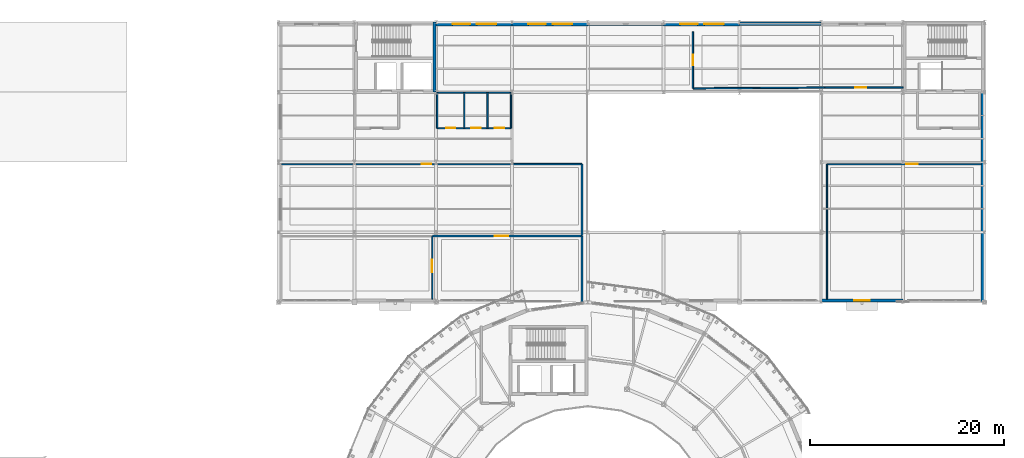
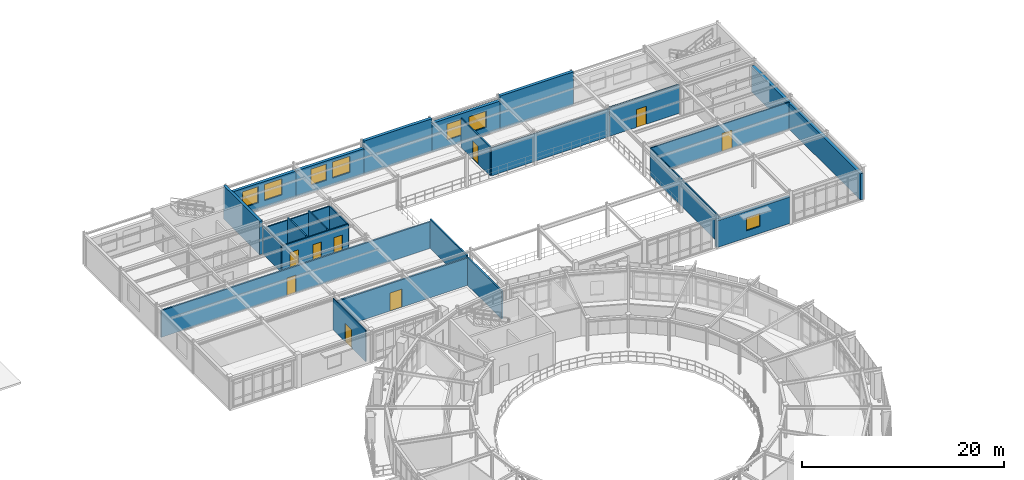
# One storey, part 58 of 70: 24 walls, 9 doors, 7 windows, 16 openings.
"""IFC4 building model written with IfcOpenShell, lengths in metres."""

from ifc_helpers import new_model, si_unit, derived_unit, direction, frame, frame_2d, origin, place, context, subcontext, project, spatial, rectangle, extrude, material, layer, layer_set, type_object, element, fill, save


model = new_model("IFC4")

# Units and contexts
model_context = context("Model", 3, precision=1e-05, world=origin(), true_north=direction((0.0, 1.0)))
body_context = subcontext(model_context, "Body", "Model", "MODEL_VIEW")
ifc_project = project(units=[si_unit("LENGTHUNIT", "METRE"), si_unit("AREAUNIT", "SQUARE_METRE"), si_unit("VOLUMEUNIT", "CUBIC_METRE"), si_unit("PLANEANGLEUNIT", "RADIAN"), si_unit("MASSUNIT", "GRAM", prefix="KILO"), derived_unit("THERMALTRANSMITTANCEUNIT", [(si_unit("POWERUNIT", "WATT"), 1), (si_unit("AREAUNIT", "SQUARE_METRE"), -1), (si_unit("THERMODYNAMICTEMPERATUREUNIT", "KELVIN"), -1)])], contexts=[model_context])

# Site, building, storey
site_placement = place(None, origin())
site = spatial("IfcSite", under=ifc_project, at=site_placement, CompositionType="ELEMENT")
building_placement = place(site_placement, origin())
building = spatial("IfcBuilding", under=site, at=building_placement, Name="Yasenodar Specialist Clinic", CompositionType="ELEMENT")
storey_placement = place(building_placement, frame((0.0, 0.0, 13.199951171875)))
storey = spatial("IfcBuildingStorey", under=building, at=storey_placement, Name="L03", CompositionType="ELEMENT", Elevation=13.199951171875)

# Wall, opening, window
ifc_material_1 = material(Name="Buff Architectural Terracotta Rainscreen", Category="masonry")
ifc_layer_1 = layer(ifc_material_1, 0.340087890625)
ifc_layer_set_1 = layer_set([ifc_layer_1], Name="Buff Architectural Terracotta Rainscreen")
wall_type_1 = type_object("IfcWallType", Name="EW-TERR-340", PredefinedType="SOLIDWALL", material=ifc_layer_set_1)
wall_1_placement = place(storey_placement, frame((113.39990234375, 82.969970703125, 0.0), z_axis=(0.0, 0.0, 1.0), x_axis=(-1.0, 0.0, 0.0)))
wall_1 = element("IfcWall", 1, at=wall_1_placement, inside=storey, type_object=wall_type_1, Name="L03 Exterior Facade Wall 0142", PredefinedType="SOLIDWALL", context=body_context, shape_type="SweptSolid", body=[
    extrude(rectangle(XDim=8.39990234375, YDim=0.340087890625, at=frame_2d((4.199951171875, 0.0))), origin(), (0.0, 0.0, 1.0), 3.218017578125),
])
opening_1_placement = place(wall_1_placement, frame((3.425048828125, 0.0, 0.85009765625)))
opening_1 = element("IfcOpeningElement", 2, at=opening_1_placement, cuts=wall_1, Name="Opening W-16", PredefinedType="OPENING", context=body_context, shape_type="SweptSolid", body=[
    extrude(rectangle(XDim=1.550048828125, YDim=1.60009765625, at=frame_2d((0.77490234375, 0.800048828125))), frame((0.0, 0.18017578125, 0.0), z_axis=(0.0, -1.0, 0.0), x_axis=(1.0, 0.0, 0.0)), (0.0, 0.0, 1.0), 0.360107421875),
])
ifc_material_2 = material(Name="Triple Low-E Argon Glazing in Bronze Aluminium Frame", Category="aluminium")
window_type_1 = type_object("IfcWindowType", Name="WIN-EXT-16", PartitioningType="SINGLE_PANEL", PredefinedType="WINDOW", material=ifc_material_2)
window_1_placement = place(opening_1_placement, origin())
window_1 = element("IfcWindow", 3, at=window_1_placement, inside=storey, type_object=window_type_1, Name="L03 Triple-Glazed Reveal Window 0158", OverallHeight=1.60009765625, OverallWidth=1.550048828125, PartitioningType="SINGLE_PANEL", PredefinedType="WINDOW", context=body_context, shape_type="SweptSolid", body=[
    extrude(rectangle(XDim=1.550048828125, YDim=1.60009765625, at=frame_2d((0.77490234375, 0.800048828125))), frame((0.0, 0.030029296875, 0.0), z_axis=(0.0, -1.0, 0.0), x_axis=(1.0, 0.0, 0.0)), (0.0, 0.0, 1.0), 0.06005859375),
])
fill(opening_1, window_1)

# Wall
wall_2_placement = place(storey_placement, frame((121.6298828125, 104.39990234375, 0.0), z_axis=(0.0, 0.0, 1.0), x_axis=(0.0, -1.0, 0.0)))
element("IfcWall", 4, at=wall_2_placement, inside=storey, type_object=wall_type_1, Name="L03 Exterior Facade Wall 0169", PredefinedType="SOLIDWALL", context=body_context, shape_type="SweptSolid", body=[
    extrude(rectangle(XDim=21.599853515625, YDim=0.340087890625, at=frame_2d((10.7998046875, 0.0))), origin(), (0.0, 0.0, 1.0), 3.16796875),
])

# Wall, openings, windows
wall_3_placement = place(storey_placement, frame((65.39990234375, 111.39990234375, 0.0), z_axis=(0.0, 0.0, 1.0), x_axis=(1.0, 0.0, 0.0)))
wall_3 = element("IfcWall", 5, at=wall_3_placement, inside=storey, type_object=wall_type_1, Name="L03 Exterior Facade Wall 0170", PredefinedType="SOLIDWALL", context=body_context, shape_type="SweptSolid", body=[
    extrude(rectangle(XDim=7.800048828125, YDim=0.340087890625, at=frame_2d((3.89990234375, 0.0))), origin(), (0.0, 0.0, 1.0), 3.177978515625),
])
opening_2_placement = place(wall_3_placement, frame((1.699951171875, 0.0, 0.85009765625)))
opening_2 = element("IfcOpeningElement", 6, at=opening_2_placement, cuts=wall_3, Name="Opening W-05", PredefinedType="OPENING", context=body_context, shape_type="SweptSolid", body=[
    extrude(rectangle(XDim=1.800048828125, YDim=1.949951171875, at=frame_2d((0.89990234375, 0.97509765625))), frame((0.0, 0.18017578125, 0.0), z_axis=(0.0, -1.0, 0.0), x_axis=(1.0, 0.0, 0.0)), (0.0, 0.0, 1.0), 0.360107421875),
])
opening_3_placement = place(wall_3_placement, frame((4.199951171875, 0.0, 0.85009765625)))
opening_3 = element("IfcOpeningElement", 7, at=opening_3_placement, cuts=wall_3, Name="Opening W-06", PredefinedType="OPENING", context=body_context, shape_type="SweptSolid", body=[
    extrude(rectangle(XDim=2.0, YDim=1.949951171875, at=frame_2d((1.0, 0.97509765625))), frame((0.0, 0.18017578125, 0.0), z_axis=(0.0, -1.0, 0.0), x_axis=(1.0, 0.0, 0.0)), (0.0, 0.0, 1.0), 0.360107421875),
])
window_type_2 = type_object("IfcWindowType", Name="WIN-EXT-05", PartitioningType="SINGLE_PANEL", PredefinedType="WINDOW", material=ifc_material_2)
window_2_placement = place(opening_2_placement, origin())
window_2 = element("IfcWindow", 8, at=window_2_placement, inside=storey, type_object=window_type_2, Name="L03 Triple-Glazed Reveal Window 0186", OverallHeight=1.949951171875, OverallWidth=1.800048828125, PartitioningType="SINGLE_PANEL", PredefinedType="WINDOW", context=body_context, shape_type="SweptSolid", body=[
    extrude(rectangle(XDim=1.800048828125, YDim=1.949951171875, at=frame_2d((0.89990234375, 0.97509765625))), frame((0.0, 0.030029296875, 0.0), z_axis=(0.0, -1.0, 0.0), x_axis=(1.0, 0.0, 0.0)), (0.0, 0.0, 1.0), 0.06005859375),
])
fill(opening_2, window_2)
window_type_3 = type_object("IfcWindowType", Name="WIN-EXT-06", PartitioningType="SINGLE_PANEL", PredefinedType="WINDOW", material=ifc_material_2)
window_3_placement = place(opening_3_placement, origin())
window_3 = element("IfcWindow", 9, at=window_3_placement, inside=storey, type_object=window_type_3, Name="L03 Triple-Glazed Reveal Window 0187", OverallHeight=1.949951171875, OverallWidth=2.0, PartitioningType="SINGLE_PANEL", PredefinedType="WINDOW", context=body_context, shape_type="SweptSolid", body=[
    extrude(rectangle(XDim=2.0, YDim=1.949951171875, at=frame_2d((1.0, 0.97509765625))), frame((0.0, 0.030029296875, 0.0), z_axis=(0.0, -1.0, 0.0), x_axis=(1.0, 0.0, 0.0)), (0.0, 0.0, 1.0), 0.06005859375),
])
fill(opening_3, window_3)

wall_4_placement = place(storey_placement, frame((73.199951171875, 111.39990234375, 0.0), z_axis=(0.0, 0.0, 1.0), x_axis=(1.0, 0.0, 0.0)))
wall_4 = element("IfcWall", 10, at=wall_4_placement, inside=storey, type_object=wall_type_1, Name="L03 Exterior Facade Wall 0171", PredefinedType="SOLIDWALL", context=body_context, shape_type="SweptSolid", body=[
    extrude(rectangle(XDim=7.800048828125, YDim=0.340087890625, at=frame_2d((3.89990234375, 0.0))), origin(), (0.0, 0.0, 1.0), 3.177978515625),
])
opening_4_placement = place(wall_4_placement, frame((1.699951171875, 0.0, 0.85009765625)))
opening_4 = element("IfcOpeningElement", 11, at=opening_4_placement, cuts=wall_4, Name="Opening W-05", PredefinedType="OPENING", context=body_context, shape_type="SweptSolid", body=[
    extrude(rectangle(XDim=1.800048828125, YDim=1.949951171875, at=frame_2d((0.89990234375, 0.97509765625))), frame((0.0, 0.18017578125, 0.0), z_axis=(0.0, -1.0, 0.0), x_axis=(1.0, 0.0, 0.0)), (0.0, 0.0, 1.0), 0.360107421875),
])
opening_5_placement = place(wall_4_placement, frame((4.199951171875, 0.0, 0.85009765625)))
opening_5 = element("IfcOpeningElement", 12, at=opening_5_placement, cuts=wall_4, Name="Opening W-06", PredefinedType="OPENING", context=body_context, shape_type="SweptSolid", body=[
    extrude(rectangle(XDim=2.0, YDim=1.949951171875, at=frame_2d((1.0, 0.97509765625))), frame((0.0, 0.18017578125, 0.0), z_axis=(0.0, -1.0, 0.0), x_axis=(1.0, 0.0, 0.0)), (0.0, 0.0, 1.0), 0.360107421875),
])
window_4_placement = place(opening_4_placement, origin())
window_4 = element("IfcWindow", 13, at=window_4_placement, inside=storey, type_object=window_type_2, Name="L03 Triple-Glazed Reveal Window 0188", OverallHeight=1.949951171875, OverallWidth=1.800048828125, PartitioningType="SINGLE_PANEL", PredefinedType="WINDOW", context=body_context, shape_type="SweptSolid", body=[
    extrude(rectangle(XDim=1.800048828125, YDim=1.949951171875, at=frame_2d((0.89990234375, 0.97509765625))), frame((0.0, 0.030029296875, 0.0), z_axis=(0.0, -1.0, 0.0), x_axis=(1.0, 0.0, 0.0)), (0.0, 0.0, 1.0), 0.06005859375),
])
fill(opening_4, window_4)
window_5_placement = place(opening_5_placement, origin())
window_5 = element("IfcWindow", 14, at=window_5_placement, inside=storey, type_object=window_type_3, Name="L03 Triple-Glazed Reveal Window 0189", OverallHeight=1.949951171875, OverallWidth=2.0, PartitioningType="SINGLE_PANEL", PredefinedType="WINDOW", context=body_context, shape_type="SweptSolid", body=[
    extrude(rectangle(XDim=2.0, YDim=1.949951171875, at=frame_2d((1.0, 0.97509765625))), frame((0.0, 0.030029296875, 0.0), z_axis=(0.0, -1.0, 0.0), x_axis=(1.0, 0.0, 0.0)), (0.0, 0.0, 1.0), 0.06005859375),
])
fill(opening_5, window_5)

wall_5_placement = place(storey_placement, frame((88.800048828125, 111.39990234375, 0.0), z_axis=(0.0, 0.0, 1.0), x_axis=(1.0, 0.0, 0.0)))
wall_5 = element("IfcWall", 15, at=wall_5_placement, inside=storey, type_object=wall_type_1, Name="L03 Exterior Facade Wall 0172", PredefinedType="SOLIDWALL", context=body_context, shape_type="SweptSolid", body=[
    extrude(rectangle(XDim=7.800048828125, YDim=0.340087890625, at=frame_2d((3.89990234375, 0.0))), origin(), (0.0, 0.0, 1.0), 3.47802734375),
])
opening_6_placement = place(wall_5_placement, frame((1.699951171875, 0.0, 0.85009765625)))
opening_6 = element("IfcOpeningElement", 16, at=opening_6_placement, cuts=wall_5, Name="Opening W-05", PredefinedType="OPENING", context=body_context, shape_type="SweptSolid", body=[
    extrude(rectangle(XDim=1.800048828125, YDim=1.949951171875, at=frame_2d((0.89990234375, 0.97509765625))), frame((0.0, 0.18017578125, 0.0), z_axis=(0.0, -1.0, 0.0), x_axis=(1.0, 0.0, 0.0)), (0.0, 0.0, 1.0), 0.360107421875),
])
opening_7_placement = place(wall_5_placement, frame((4.199951171875, 0.0, 0.85009765625)))
opening_7 = element("IfcOpeningElement", 17, at=opening_7_placement, cuts=wall_5, Name="Opening W-06", PredefinedType="OPENING", context=body_context, shape_type="SweptSolid", body=[
    extrude(rectangle(XDim=2.0, YDim=1.949951171875, at=frame_2d((1.0, 0.97509765625))), frame((0.0, 0.18017578125, 0.0), z_axis=(0.0, -1.0, 0.0), x_axis=(1.0, 0.0, 0.0)), (0.0, 0.0, 1.0), 0.360107421875),
])
window_6_placement = place(opening_6_placement, origin())
window_6 = element("IfcWindow", 18, at=window_6_placement, inside=storey, type_object=window_type_2, Name="L03 Triple-Glazed Reveal Window 0190", OverallHeight=1.949951171875, OverallWidth=1.800048828125, PartitioningType="SINGLE_PANEL", PredefinedType="WINDOW", context=body_context, shape_type="SweptSolid", body=[
    extrude(rectangle(XDim=1.800048828125, YDim=1.949951171875, at=frame_2d((0.89990234375, 0.97509765625))), frame((0.0, 0.030029296875, 0.0), z_axis=(0.0, -1.0, 0.0), x_axis=(1.0, 0.0, 0.0)), (0.0, 0.0, 1.0), 0.06005859375),
])
fill(opening_6, window_6)
window_7_placement = place(opening_7_placement, origin())
window_7 = element("IfcWindow", 19, at=window_7_placement, inside=storey, type_object=window_type_3, Name="L03 Triple-Glazed Reveal Window 0191", OverallHeight=1.949951171875, OverallWidth=2.0, PartitioningType="SINGLE_PANEL", PredefinedType="WINDOW", context=body_context, shape_type="SweptSolid", body=[
    extrude(rectangle(XDim=2.0, YDim=1.949951171875, at=frame_2d((1.0, 0.97509765625))), frame((0.0, 0.030029296875, 0.0), z_axis=(0.0, -1.0, 0.0), x_axis=(1.0, 0.0, 0.0)), (0.0, 0.0, 1.0), 0.06005859375),
])
fill(opening_7, window_7)

# Wall, opening, door
ifc_material_3 = material(Name="Outpatient Examination Partition")
ifc_layer_2 = layer(ifc_material_3, 0.14990234375)
ifc_layer_set_2 = layer_set([ifc_layer_2], Name="Outpatient Examination Partition")
wall_type_2 = type_object("IfcWallType", Name="IW-CONS-150", PredefinedType="PARTITIONING", material=ifc_layer_set_2)
wall_6_placement = place(storey_placement, frame((113.419921875, 104.8701171875, 0.0), z_axis=(0.0, 0.0, 1.0), x_axis=(-1.0, 0.0, 0.0)))
wall_6 = element("IfcWall", 20, at=wall_6_placement, inside=storey, type_object=wall_type_2, Name="L03 PCR Molecular Diagnostics Laboratory Partition", PredefinedType="PARTITIONING", context=body_context, shape_type="SweptSolid", body=[
    extrude(rectangle(XDim=8.0400390625, YDim=0.14990234375, at=frame_2d((4.02001953125, 0.0))), origin(), (0.0, 0.0, 1.0), 3.488037109375),
])
opening_8_placement = place(wall_6_placement, frame((3.780029296875, 0.0, 0.0)))
opening_8 = element("IfcOpeningElement", 21, at=opening_8_placement, cuts=wall_6, Name="Opening D-05", PredefinedType="OPENING", context=body_context, shape_type="SweptSolid", body=[
    extrude(rectangle(XDim=1.1201171875, YDim=2.179931640625, at=frame_2d((0.56005859375, 1.08984375))), frame((0.0, 0.0849609375, 0.0), z_axis=(0.0, -1.0, 0.0), x_axis=(1.0, 0.0, 0.0)), (0.0, 0.0, 1.0), 0.169921875),
])
ifc_material_4 = material(Name="Powder-Coated Steel and Acoustic Laminate Leaf", Category="steel")
door_type_1 = type_object("IfcDoorType", Name="DR-CLN-112", OperationType="NOTDEFINED", PredefinedType="DOOR", material=ifc_material_4)
door_1_placement = place(opening_8_placement, origin())
door_1 = element("IfcDoor", 22, at=door_1_placement, inside=storey, type_object=door_type_1, Name="L03 PCR Molecular Diagnostics Laboratory Door", OperationType="SINGLE_SWING_RIGHT", OverallHeight=2.179931640625, OverallWidth=1.1201171875, PredefinedType="DOOR", context=body_context, shape_type="SweptSolid", body=[
    extrude(rectangle(XDim=1.1201171875, YDim=2.179931640625, at=frame_2d((0.56005859375, 1.08984375))), frame((0.0, 0.02490234375, 0.0), z_axis=(0.0, -1.0, 0.0), x_axis=(1.0, 0.0, 0.0)), (0.0, 0.0, 1.0), 0.050048828125),
])
fill(opening_8, door_1)

# Wall
wall_7_placement = place(storey_placement, frame((105.3798828125, 104.8701171875, 0.0), z_axis=(0.0, 0.0, 1.0), x_axis=(-0.999985423809, -0.00539927482, 0.0)))
element("IfcWall", 23, at=wall_7_placement, inside=storey, type_object=wall_type_2, Name="L03 PCR Molecular Diagnostics Laboratory Partition", PredefinedType="PARTITIONING", context=body_context, shape_type="SweptSolid", body=[
    extrude(rectangle(XDim=13.52001953125, YDim=0.14990234375, at=frame_2d((6.760009765625, 0.0))), origin(), (0.0, 0.0, 1.0), 3.3779296875),
])

# Wall, opening, door
ifc_material_5 = material(Name="Acoustic Double-Gypsum Consulting Partition")
ifc_layer_3 = layer(ifc_material_5, 0.159912109375)
ifc_layer_set_3 = layer_set([ifc_layer_3], Name="Acoustic Double-Gypsum Consulting Partition")
wall_type_3 = type_object("IfcWallType", Name="IW-CONS-160", PredefinedType="PARTITIONING", material=ifc_layer_set_3)
wall_8_placement = place(storey_placement, frame((91.800048828125, 110.60009765625, 0.0), z_axis=(0.0, 0.0, 1.0), x_axis=(0.0, -1.0, 0.0)))
wall_8 = element("IfcWall", 24, at=wall_8_placement, inside=storey, type_object=wall_type_3, Name="L03 Clinical Microbiology Laboratory Partition", PredefinedType="PARTITIONING", context=body_context, shape_type="SweptSolid", body=[
    extrude(rectangle(XDim=5.800048828125, YDim=0.159912109375, at=frame_2d((2.89990234375, 0.0))), origin(), (0.0, 0.0, 1.0), 3.47802734375),
])
opening_9_placement = place(wall_8_placement, frame((2.35009765625, 0.0, 0.0)))
opening_9 = element("IfcOpeningElement", 25, at=opening_9_placement, cuts=wall_8, Name="Opening D-04", PredefinedType="OPENING", context=body_context, shape_type="SweptSolid", body=[
    extrude(rectangle(XDim=1.06005859375, YDim=2.159912109375, at=frame_2d((0.530029296875, 1.080078125))), frame((0.0, 0.08984375, 0.0), z_axis=(0.0, -1.0, 0.0), x_axis=(1.0, 0.0, 0.0)), (0.0, 0.0, 1.0), 0.179931640625),
])
door_type_2 = type_object("IfcDoorType", Name="DR-CLN-106", OperationType="NOTDEFINED", PredefinedType="DOOR", material=ifc_material_4)
door_2_placement = place(opening_9_placement, origin())
door_2 = element("IfcDoor", 26, at=door_2_placement, inside=storey, type_object=door_type_2, Name="L03 Clinical Microbiology Laboratory Door", OperationType="SINGLE_SWING_LEFT", OverallHeight=2.159912109375, OverallWidth=1.06005859375, PredefinedType="DOOR", context=body_context, shape_type="SweptSolid", body=[
    extrude(rectangle(XDim=1.06005859375, YDim=2.159912109375, at=frame_2d((0.530029296875, 1.080078125))), frame((0.0, 0.02490234375, 0.0), z_axis=(0.0, -1.0, 0.0), x_axis=(1.0, 0.0, 0.0)), (0.0, 0.0, 1.0), 0.050048828125),
])
fill(opening_9, door_2)

ifc_material_6 = material(Name="Cleanroom Laboratory Partition")
ifc_layer_4 = layer(ifc_material_6, 0.169921875)
ifc_layer_set_4 = layer_set([ifc_layer_4], Name="Cleanroom Laboratory Partition")
wall_type_4 = type_object("IfcWallType", Name="IW-LAB-170", PredefinedType="PARTITIONING", material=ifc_layer_set_4)
wall_9_placement = place(storey_placement, frame((49.52001953125, 97.0, 0.0), z_axis=(0.0, 0.0, 1.0), x_axis=(1.0, 0.0, 0.0)))
wall_9 = element("IfcWall", 27, at=wall_9_placement, inside=storey, type_object=wall_type_4, Name="L03 Histopathology Microscopy Laboratory Partition", PredefinedType="PARTITIONING", context=body_context, shape_type="SweptSolid", body=[
    extrude(rectangle(XDim=30.8798828125, YDim=0.169921875, at=frame_2d((15.43994140625, 0.0))), origin(), (0.0, 0.0, 1.0), 3.22802734375),
])
opening_10_placement = place(wall_9_placement, frame((14.3798828125, 0.0, 0.0)))
opening_10 = element("IfcOpeningElement", 28, at=opening_10_placement, cuts=wall_9, Name="Opening D-03", PredefinedType="OPENING", context=body_context, shape_type="SweptSolid", body=[
    extrude(rectangle(XDim=1.02001953125, YDim=2.14990234375, at=frame_2d((0.510009765625, 1.074951171875))), frame((0.0, 0.094970703125, 0.0), z_axis=(0.0, -1.0, 0.0), x_axis=(1.0, 0.0, 0.0)), (0.0, 0.0, 1.0), 0.18994140625),
])
door_type_3 = type_object("IfcDoorType", Name="DR-CLN-102", OperationType="NOTDEFINED", PredefinedType="DOOR", material=ifc_material_4)
door_3_placement = place(opening_10_placement, origin())
door_3 = element("IfcDoor", 29, at=door_3_placement, inside=storey, type_object=door_type_3, Name="L03 Histopathology Microscopy Laboratory Door", OperationType="SINGLE_SWING_RIGHT", OverallHeight=2.14990234375, OverallWidth=1.02001953125, PredefinedType="DOOR", context=body_context, shape_type="SweptSolid", body=[
    extrude(rectangle(XDim=1.02001953125, YDim=2.14990234375, at=frame_2d((0.510009765625, 1.074951171875))), frame((0.0, 0.02490234375, 0.0), z_axis=(0.0, -1.0, 0.0), x_axis=(1.0, 0.0, 0.0)), (0.0, 0.0, 1.0), 0.050048828125),
])
fill(opening_10, door_3)

# Wall
wall_10_placement = place(storey_placement, frame((80.39990234375, 97.0, 0.0), z_axis=(0.0, 0.0, 1.0), x_axis=(0.0, -1.0, 0.0)))
element("IfcWall", 30, at=wall_10_placement, inside=storey, type_object=wall_type_4, Name="L03 Histopathology Microscopy Laboratory Partition", PredefinedType="PARTITIONING", context=body_context, shape_type="SweptSolid", body=[
    extrude(rectangle(XDim=7.330078125, YDim=0.169921875, at=frame_2d((3.6650390625, 0.0))), origin(), (0.0, 0.0, 1.0), 3.51806640625),
])

# Wall, opening, door
ifc_material_7 = material(Name="Lightweight Counseling Partition")
ifc_layer_5 = layer(ifc_material_7, 0.114990234375)
ifc_layer_set_5 = layer_set([ifc_layer_5], Name="Lightweight Counseling Partition")
wall_type_5 = type_object("IfcWallType", Name="IW-PART-115", PredefinedType="PARTITIONING", material=ifc_layer_set_5)
wall_11_placement = place(storey_placement, frame((65.0, 89.60009765625, 0.0), z_axis=(0.0, 0.0, 1.0), x_axis=(0.0, -1.0, 0.0)))
wall_11 = element("IfcWall", 31, at=wall_11_placement, inside=storey, type_object=wall_type_5, Name="L03 Automated Biochemistry Laboratory Partition", PredefinedType="PARTITIONING", context=body_context, shape_type="SweptSolid", body=[
    extrude(rectangle(XDim=6.47998046875, YDim=0.114990234375, at=frame_2d((3.239990234375, 0.0))), origin(), (0.0, 0.0, 1.0), 3.780029296875),
])
opening_11_placement = place(wall_11_placement, frame((2.449951171875, 0.0, 0.0)))
opening_11 = element("IfcOpeningElement", 32, at=opening_11_placement, cuts=wall_11, Name="Opening D-08", PredefinedType="OPENING", context=body_context, shape_type="SweptSolid", body=[
    extrude(rectangle(XDim=1.280029296875, YDim=2.219970703125, at=frame_2d((0.64013671875, 1.10986328125))), frame((0.0, 0.0673828125, 0.0), z_axis=(0.0, -1.0, 0.0), x_axis=(1.0, 0.0, 0.0)), (0.0, 0.0, 1.0), 0.135009765625),
])
door_type_4 = type_object("IfcDoorType", Name="DR-CLN-128", OperationType="NOTDEFINED", PredefinedType="DOOR", material=ifc_material_4)
door_4_placement = place(opening_11_placement, origin())
door_4 = element("IfcDoor", 33, at=door_4_placement, inside=storey, type_object=door_type_4, Name="L03 Automated Biochemistry Laboratory Door", OperationType="SINGLE_SWING_RIGHT", OverallHeight=2.219970703125, OverallWidth=1.280029296875, PredefinedType="DOOR", context=body_context, shape_type="SweptSolid", body=[
    extrude(rectangle(XDim=1.280029296875, YDim=2.219970703125, at=frame_2d((0.64013671875, 1.10986328125))), frame((0.0, 0.02490234375, 0.0), z_axis=(0.0, -1.0, 0.0), x_axis=(1.0, 0.0, 0.0)), (0.0, 0.0, 1.0), 0.050048828125),
])
fill(opening_11, door_4)

ifc_material_8 = material(Name="Clinical Sub-Division Partition")
ifc_layer_6 = layer(ifc_material_8, 0.125)
ifc_layer_set_6 = layer_set([ifc_layer_6], Name="Clinical Sub-Division Partition")
wall_type_6 = type_object("IfcWallType", Name="IW-PART-125", PredefinedType="PARTITIONING", material=ifc_layer_set_6)
wall_12_placement = place(storey_placement, frame((105.60009765625, 97.0, 0.0), z_axis=(0.0, 0.0, 1.0), x_axis=(1.0, 0.0, 0.0)))
wall_12 = element("IfcWall", 34, at=wall_12_placement, inside=storey, type_object=wall_type_6, Name="L03 Laboratory Reagent Cold Store Partition", PredefinedType="PARTITIONING", context=body_context, shape_type="SweptSolid", body=[
    extrude(rectangle(XDim=15.8798828125, YDim=0.125, at=frame_2d((7.93994140625, 0.0))), origin(), (0.0, 0.0, 1.0), 3.278076171875),
])
opening_12_placement = place(wall_12_placement, frame((8.14990234375, 0.0, 0.0)))
opening_12 = element("IfcOpeningElement", 35, at=opening_12_placement, cuts=wall_12, Name="Opening D-06", PredefinedType="OPENING", context=body_context, shape_type="SweptSolid", body=[
    extrude(rectangle(XDim=1.179931640625, YDim=2.199951171875, at=frame_2d((0.58984375, 1.10009765625))), frame((0.0, 0.072509765625, 0.0), z_axis=(0.0, -1.0, 0.0), x_axis=(1.0, 0.0, 0.0)), (0.0, 0.0, 1.0), 0.14501953125),
])
door_type_5 = type_object("IfcDoorType", Name="DR-CLN-118", OperationType="NOTDEFINED", PredefinedType="DOOR", material=ifc_material_4)
door_5_placement = place(opening_12_placement, origin())
door_5 = element("IfcDoor", 36, at=door_5_placement, inside=storey, type_object=door_type_5, Name="L03 Laboratory Reagent Cold Store Door", OperationType="SINGLE_SWING_LEFT", OverallHeight=2.199951171875, OverallWidth=1.179931640625, PredefinedType="DOOR", context=body_context, shape_type="SweptSolid", body=[
    extrude(rectangle(XDim=1.179931640625, YDim=2.199951171875, at=frame_2d((0.58984375, 1.10009765625))), frame((0.0, 0.02490234375, 0.0), z_axis=(0.0, -1.0, 0.0), x_axis=(1.0, 0.0, 0.0)), (0.0, 0.0, 1.0), 0.050048828125),
])
fill(opening_12, door_5)

# Wall
wall_13_placement = place(storey_placement, frame((105.60009765625, 83.1201171875, 0.0), z_axis=(0.0, 0.0, 1.0), x_axis=(0.0, 1.0, 0.0)))
element("IfcWall", 37, at=wall_13_placement, inside=storey, type_object=wall_type_6, Name="L03 Laboratory Reagent Cold Store Partition", PredefinedType="PARTITIONING", context=body_context, shape_type="SweptSolid", body=[
    extrude(rectangle(XDim=13.8798828125, YDim=0.125, at=frame_2d((6.93994140625, 0.0))), origin(), (0.0, 0.0, 1.0), 3.278076171875),
])

# Wall, opening, door
ifc_material_9 = material(Name="Hygienic Double-Stud Clinical Partition")
ifc_layer_7 = layer(ifc_material_9, 0.179931640625)
ifc_layer_set_7 = layer_set([ifc_layer_7], Name="Hygienic Double-Stud Clinical Partition")
wall_type_7 = type_object("IfcWallType", Name="IW-PROC-180", PredefinedType="PARTITIONING", material=ifc_layer_set_7)
wall_14_placement = place(storey_placement, frame((65.03759765625, 89.60009765625, 0.0), z_axis=(0.0, 0.0, 1.0), x_axis=(1.0, 0.0, 0.0)))
wall_14 = element("IfcWall", 38, at=wall_14_placement, inside=storey, type_object=wall_type_7, Name="L03 Hematology and Coagulation Laboratory Partition", PredefinedType="PARTITIONING", context=body_context, shape_type="SweptSolid", body=[
    extrude(rectangle(XDim=15.3623046875, YDim=0.179931640625, at=frame_2d((7.68115234375, 0.0))), origin(), (0.0, 0.0, 1.0), 3.318115234375),
])
opening_13_placement = place(wall_14_placement, frame((6.41259765625, 0.0, 0.0)))
opening_13 = element("IfcOpeningElement", 39, at=opening_13_placement, cuts=wall_14, Name="Opening D-11", PredefinedType="OPENING", context=body_context, shape_type="SweptSolid", body=[
    extrude(rectangle(XDim=1.360107421875, YDim=2.199951171875, at=frame_2d((0.68017578125, 1.10009765625))), frame((0.0, 0.10009765625, 0.0), z_axis=(0.0, -1.0, 0.0), x_axis=(1.0, 0.0, 0.0)), (0.0, 0.0, 1.0), 0.199951171875),
])
door_type_6 = type_object("IfcDoorType", Name="DR-PLT-136", OperationType="NOTDEFINED", PredefinedType="DOOR", material=ifc_material_4)
door_6_placement = place(opening_13_placement, origin())
door_6 = element("IfcDoor", 40, at=door_6_placement, inside=storey, type_object=door_type_6, Name="L03 Hematology and Coagulation Laboratory Door", OperationType="SINGLE_SWING_LEFT", OverallHeight=2.199951171875, OverallWidth=1.360107421875, PredefinedType="DOOR", context=body_context, shape_type="SweptSolid", body=[
    extrude(rectangle(XDim=1.360107421875, YDim=2.199951171875, at=frame_2d((0.68017578125, 1.10009765625))), frame((0.0, 0.02490234375, 0.0), z_axis=(0.0, -1.0, 0.0), x_axis=(1.0, 0.0, 0.0)), (0.0, 0.0, 1.0), 0.050048828125),
])
fill(opening_13, door_6)

# Walls
wall_15_placement = place(storey_placement, frame((80.39990234375, 89.60009765625, 0.0), z_axis=(0.0, 0.0, 1.0), x_axis=(0.0, -1.0, 0.0)))
element("IfcWall", 41, at=wall_15_placement, inside=storey, type_object=wall_type_7, Name="L03 Hematology and Coagulation Laboratory Partition", PredefinedType="PARTITIONING", context=body_context, shape_type="SweptSolid", body=[
    extrude(rectangle(XDim=6.818359375, YDim=0.179931640625, at=frame_2d((3.4091796875, 0.0))), origin(), (0.0, 0.0, 1.0), 3.3779296875),
])
ifc_material_10 = material(Name="Moisture-Resistant Sanitary Partition")
ifc_layer_8 = layer(ifc_material_10, 0.139892578125)
ifc_layer_set_8 = layer_set([ifc_layer_8], Name="Moisture-Resistant Sanitary Partition")
wall_type_8 = type_object("IfcWallType", Name="IW-WET-140", PredefinedType="PARTITIONING", material=ifc_layer_set_8)
wall_16_placement = place(storey_placement, frame((65.5, 100.699951171875, 0.0), z_axis=(0.0, 0.0, 1.0), x_axis=(0.0, 1.0, 0.0)))
element("IfcWall", 42, at=wall_16_placement, inside=storey, type_object=wall_type_8, Name="L03 North Sanitary Block West Wall", PredefinedType="PARTITIONING", context=body_context, shape_type="SweptSolid", body=[
    extrude(rectangle(XDim=3.679931640625, YDim=0.139892578125, at=frame_2d((1.83984375, 0.0))), origin(), (0.0, 0.0, 1.0), 3.43798828125),
])
wall_17_placement = place(storey_placement, frame((65.39990234375, 104.35009765625, 0.0), z_axis=(0.0, 0.0, 1.0), x_axis=(1.0, 0.0, 0.0)))
element("IfcWall", 43, at=wall_17_placement, inside=storey, type_object=wall_type_8, Name="L03 North Sanitary Block North Wall", PredefinedType="PARTITIONING", context=body_context, shape_type="SweptSolid", body=[
    extrude(rectangle(XDim=7.7001953125, YDim=0.139892578125, at=frame_2d((3.85009765625, 0.0))), origin(), (0.0, 0.0, 1.0), 3.177978515625),
])
wall_18_placement = place(storey_placement, frame((73.10009765625, 100.699951171875, 0.0), z_axis=(0.0, 0.0, 1.0), x_axis=(0.0, 1.0, 0.0)))
element("IfcWall", 44, at=wall_18_placement, inside=storey, type_object=wall_type_8, Name="L03 North Sanitary Block East Wall", PredefinedType="PARTITIONING", context=body_context, shape_type="SweptSolid", body=[
    extrude(rectangle(XDim=3.650146484375, YDim=0.139892578125, at=frame_2d((1.8251953125, 0.0))), origin(), (0.0, 0.0, 1.0), 3.177978515625),
])
for number, where, z_axis, x_axis, name in (
    (45, (68.300048828125, 100.699951171875, 0.0), (0.0, 0.0, 1.0), (0.0, 1.0, 0.0), "L03 North Accessible WC Divider Wall"),
    (46, (70.699951171875, 100.699951171875, 0.0), (0.0, 0.0, 1.0), (0.0, 1.0, 0.0), "L03 North Patient and Staff WC Divider Wall"),
):
    element("IfcWall", number, at=place(storey_placement, frame(where, z_axis=z_axis, x_axis=x_axis)), inside=storey, type_object=wall_type_8, Name=name, PredefinedType="PARTITIONING", context=body_context, shape_type="SweptSolid", body=[
        extrude(rectangle(XDim=3.650146484375, YDim=0.139892578125, at=frame_2d((1.8251953125, 0.0))), origin(), (0.0, 0.0, 1.0), 3.47802734375),
    ])

# Wall, openings, doors
wall_19_placement = place(storey_placement, frame((65.5, 100.699951171875, 0.0), z_axis=(0.0, 0.0, 1.0), x_axis=(1.0, 0.0, 0.0)))
wall_19 = element("IfcWall", 47, at=wall_19_placement, inside=storey, type_object=wall_type_8, Name="L03 North Sanitary Block Corridor Wall", PredefinedType="PARTITIONING", context=body_context, shape_type="SweptSolid", body=[
    extrude(rectangle(XDim=7.60009765625, YDim=0.139892578125, at=frame_2d((3.800048828125, 0.0))), origin(), (0.0, 0.0, 1.0), 3.22802734375),
])
opening_14_placement = place(wall_19_placement, frame((0.919921875, 0.0, 0.0)))
opening_14 = element("IfcOpeningElement", 48, at=opening_14_placement, cuts=wall_19, Name="Opening D-01", PredefinedType="OPENING", context=body_context, shape_type="SweptSolid", body=[
    extrude(rectangle(XDim=0.949951171875, YDim=2.1201171875, at=frame_2d((0.47509765625, 1.06005859375))), frame((0.0, 0.080078125, 0.0), z_axis=(0.0, -1.0, 0.0), x_axis=(1.0, 0.0, 0.0)), (0.0, 0.0, 1.0), 0.159912109375),
])
opening_15_placement = place(wall_19_placement, frame((3.510009765625, 0.0, 0.0)))
opening_15 = element("IfcOpeningElement", 49, at=opening_15_placement, cuts=wall_19, Name="Opening D-02", PredefinedType="OPENING", context=body_context, shape_type="SweptSolid", body=[
    extrude(rectangle(XDim=0.97998046875, YDim=2.139892578125, at=frame_2d((0.489990234375, 1.06982421875))), frame((0.0, 0.080078125, 0.0), z_axis=(0.0, -1.0, 0.0), x_axis=(1.0, 0.0, 0.0)), (0.0, 0.0, 1.0), 0.159912109375),
])
opening_16_placement = place(wall_19_placement, frame((5.909912109375, 0.0, 0.0)))
opening_16 = element("IfcOpeningElement", 50, at=opening_16_placement, cuts=wall_19, Name="Opening D-02", PredefinedType="OPENING", context=body_context, shape_type="SweptSolid", body=[
    extrude(rectangle(XDim=0.97998046875, YDim=2.139892578125, at=frame_2d((0.489990234375, 1.06982421875))), frame((0.0, 0.080078125, 0.0), z_axis=(0.0, -1.0, 0.0), x_axis=(1.0, 0.0, 0.0)), (0.0, 0.0, 1.0), 0.159912109375),
])
door_type_7 = type_object("IfcDoorType", Name="DR-CLN-095", OperationType="NOTDEFINED", PredefinedType="DOOR", material=ifc_material_4)
door_7_placement = place(opening_14_placement, origin())
door_7 = element("IfcDoor", 51, at=door_7_placement, inside=storey, type_object=door_type_7, Name="L03 North Accessible WC Door", OperationType="SINGLE_SWING_LEFT", OverallHeight=2.1201171875, OverallWidth=0.949951171875, PredefinedType="DOOR", context=body_context, shape_type="SweptSolid", body=[
    extrude(rectangle(XDim=0.949951171875, YDim=2.1201171875, at=frame_2d((0.47509765625, 1.06005859375))), frame((0.0, 0.02490234375, 0.0), z_axis=(0.0, -1.0, 0.0), x_axis=(1.0, 0.0, 0.0)), (0.0, 0.0, 1.0), 0.050048828125),
])
fill(opening_14, door_7)
door_type_8 = type_object("IfcDoorType", Name="DR-CLN-098", OperationType="NOTDEFINED", PredefinedType="DOOR", material=ifc_material_4)
door_8_placement = place(opening_15_placement, origin())
door_8 = element("IfcDoor", 52, at=door_8_placement, inside=storey, type_object=door_type_8, Name="L03 North Patient Washroom WC Door", OperationType="SINGLE_SWING_RIGHT", OverallHeight=2.139892578125, OverallWidth=0.97998046875, PredefinedType="DOOR", context=body_context, shape_type="SweptSolid", body=[
    extrude(rectangle(XDim=0.97998046875, YDim=2.139892578125, at=frame_2d((0.489990234375, 1.06982421875))), frame((0.0, 0.02490234375, 0.0), z_axis=(0.0, -1.0, 0.0), x_axis=(1.0, 0.0, 0.0)), (0.0, 0.0, 1.0), 0.050048828125),
])
fill(opening_15, door_8)
door_9_placement = place(opening_16_placement, origin())
door_9 = element("IfcDoor", 53, at=door_9_placement, inside=storey, type_object=door_type_8, Name="L03 North Staff Washroom WC Door", OperationType="SINGLE_SWING_LEFT", OverallHeight=2.139892578125, OverallWidth=0.97998046875, PredefinedType="DOOR", context=body_context, shape_type="SweptSolid", body=[
    extrude(rectangle(XDim=0.97998046875, YDim=2.139892578125, at=frame_2d((0.489990234375, 1.06982421875))), frame((0.0, 0.02490234375, 0.0), z_axis=(0.0, -1.0, 0.0), x_axis=(1.0, 0.0, 0.0)), (0.0, 0.0, 1.0), 0.050048828125),
])
fill(opening_16, door_9)

# Walls
ifc_material_11 = material(Name="Concrete C35/45", Category="concrete")
ifc_layer_9 = layer(ifc_material_11, 0.300048828125)
ifc_layer_set_9 = layer_set([ifc_layer_9], Name="Concrete C35/45")
wall_type_9 = type_object("IfcWallType", Name="WL-CORE-300", PredefinedType="SHEAR", material=ifc_layer_set_9)
wall_20_placement = place(storey_placement, frame((65.25, 104.39990234375, 0.0), z_axis=(0.0, 0.0, 1.0), x_axis=(0.0, 1.0, 0.0)))
element("IfcWall", 54, at=wall_20_placement, inside=storey, type_object=wall_type_9, Name="L03 Core C4 East Shear Wall", PredefinedType="SHEAR", context=body_context, shape_type="SweptSolid", body=[
    extrude(rectangle(XDim=7.2001953125, YDim=0.300048828125, at=frame_2d((3.60009765625, 0.0))), origin(), (0.0, 0.0, 1.0), 4.050048828125),
])
ifc_layer_10 = layer(ifc_material_11, 0.35009765625)
ifc_layer_set_10 = layer_set([ifc_layer_10], Name="Concrete C35/45")
wall_type_10 = type_object("IfcWallType", Name="WL-PARTY-350", PredefinedType="SHEAR", material=ifc_layer_set_10)
wall_21_placement = place(storey_placement, frame((81.0, 111.425048828125, 0.0), z_axis=(0.0, 0.0, 1.0), x_axis=(1.0, 0.0, 0.0)))
element("IfcWall", 55, at=wall_21_placement, inside=storey, type_object=wall_type_10, Name="L03 Northern Party Wall Segment 1", PredefinedType="SHEAR", context=body_context, shape_type="SweptSolid", body=[
    extrude(rectangle(XDim=7.800048828125, YDim=0.35009765625, at=frame_2d((3.89990234375, 0.0))), origin(), (0.0, 0.0, 1.0), 4.050048828125),
])
wall_22_placement = place(storey_placement, frame((96.60009765625, 111.425048828125, 0.0), z_axis=(0.0, 0.0, 1.0), x_axis=(1.0, 0.0, 0.0)))
element("IfcWall", 56, at=wall_22_placement, inside=storey, type_object=wall_type_10, Name="L03 Northern Party Wall Segment 2", PredefinedType="SHEAR", context=body_context, shape_type="SweptSolid", body=[
    extrude(rectangle(XDim=8.39990234375, YDim=0.35009765625, at=frame_2d((4.199951171875, 0.0))), origin(), (0.0, 0.0, 1.0), 4.050048828125),
])

save(model, "model.ifc")
